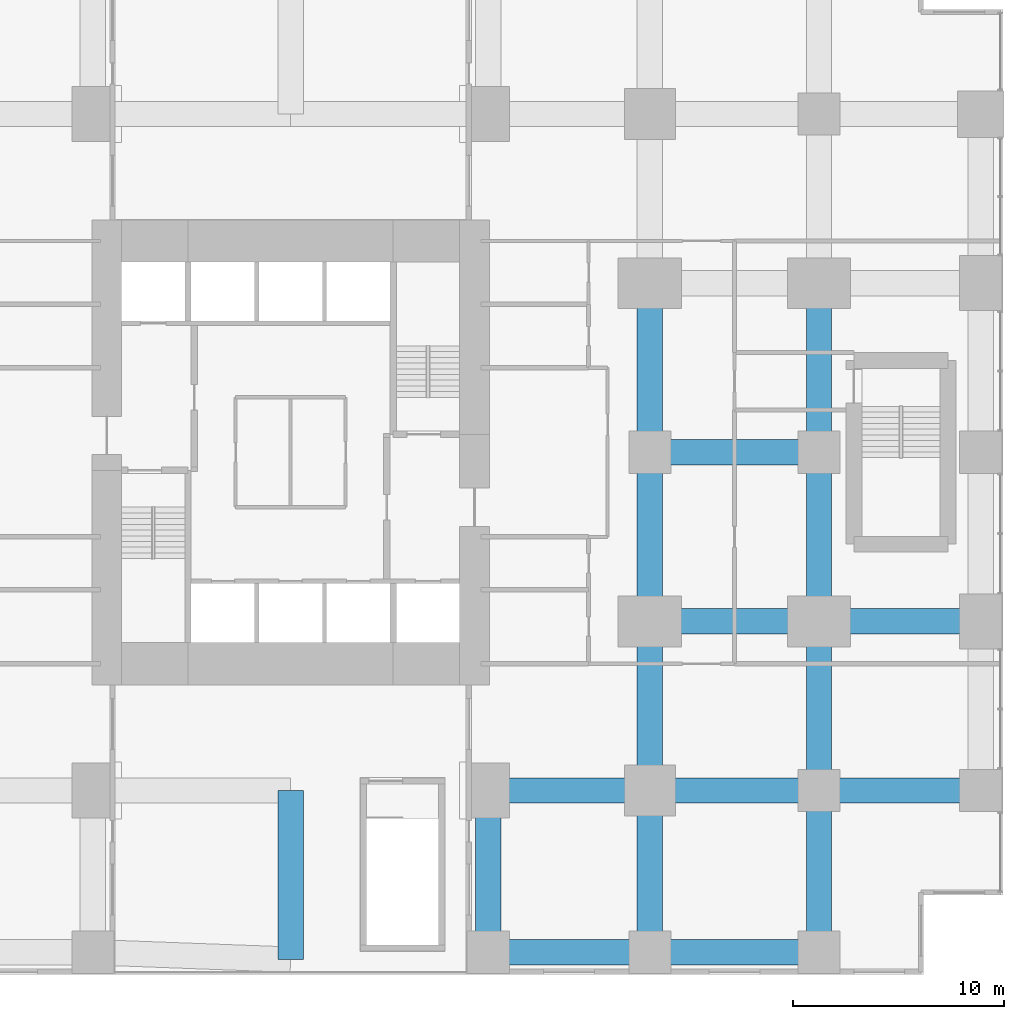
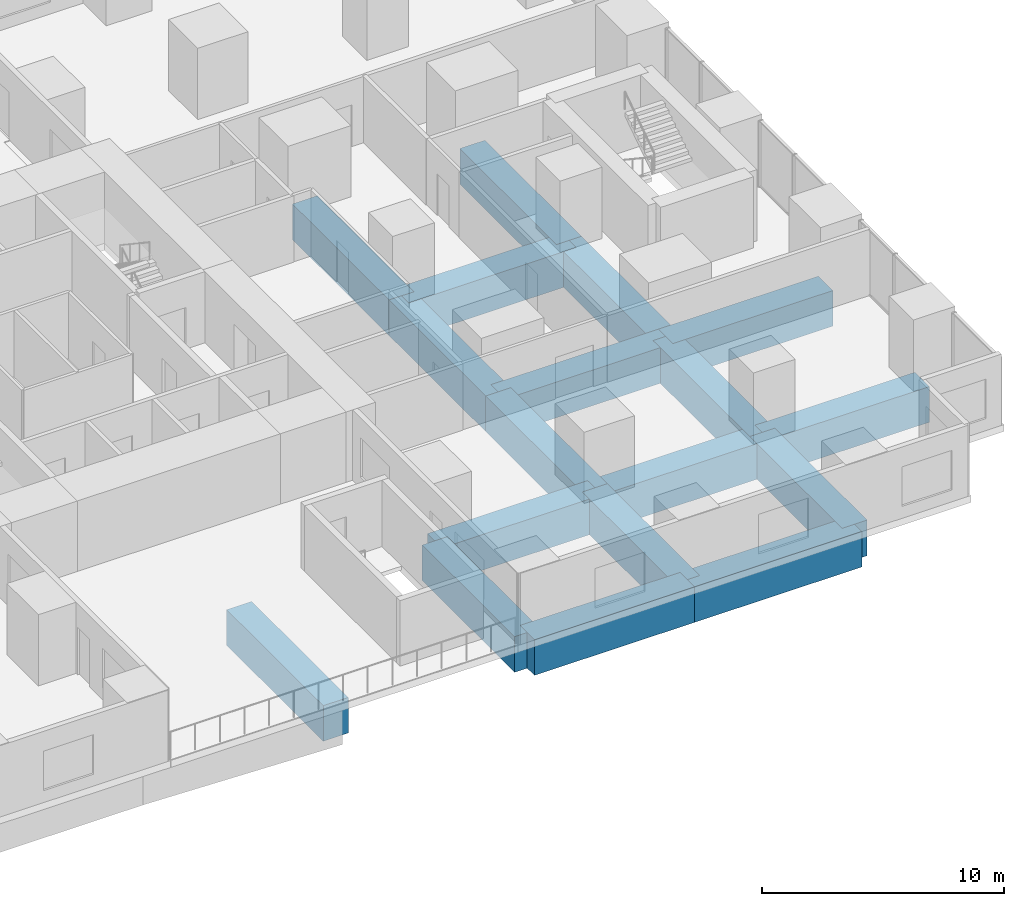
# One storey, part 4 of 15: 18 beams.
"""IFC4 building model written with IfcOpenShell, lengths in metres."""

from ifc_helpers import new_model, si_unit, direction, frame, origin, origin_2d, place, context, subcontext, project, spatial, rectangle, extrude, material, material_profile, profile_set, type_object, element, save


model = new_model("IFC4")

# Units and contexts
model_context = context("Model", 3, precision=1e-05, world=origin(), true_north=direction((0.0, 1.0)))
body_context = subcontext(model_context, "Body", "Model", "MODEL_VIEW")
ifc_project = project(units=[si_unit("LENGTHUNIT", "METRE"), si_unit("AREAUNIT", "SQUARE_METRE"), si_unit("VOLUMEUNIT", "CUBIC_METRE"), si_unit("PLANEANGLEUNIT", "RADIAN"), si_unit("MASSUNIT", "GRAM", prefix="KILO")], contexts=[model_context])

# Site, building, storey
site_placement = place(None, origin())
site = spatial("IfcSite", under=ifc_project, at=site_placement, CompositionType="ELEMENT")
building_placement = place(site_placement, origin())
building = spatial("IfcBuilding", under=site, at=building_placement, Name="Cleftline Residences", CompositionType="ELEMENT")
storey_placement = place(building_placement, frame((0.0, 0.0, 26.0)))
storey = spatial("IfcBuildingStorey", under=building, at=storey_placement, Name="L05", CompositionType="ELEMENT", Elevation=26.0)

# Beams
ifc_material = material(Name="Concrete B45", Category="concrete")
ifc_material_profile = material_profile(ifc_material, rectangle(XDim=1.199951171875, YDim=1.800048828125, at=origin_2d()))
ifc_profile_set = profile_set([ifc_material_profile], Name="Concrete B45")
beam_type = type_object("IfcBeamType", Name="BEAM RC1200X1800", PredefinedType="BEAM", material=ifc_profile_set)
beam_1_placement = place(storey_placement, frame((42.35009765625, 0.35009765625, -1.25), z_axis=(1.0, 0.0, 0.0), x_axis=(0.0, 1.0, 0.0)))
element("IfcBeam", 1, at=beam_1_placement, inside=storey, type_object=beam_type, Name="Podium beam", PredefinedType="BEAM", context=body_context, shape_type="SweptSolid", body=[
    extrude(rectangle(XDim=1.199951171875, YDim=1.800048828125, at=origin_2d()), origin(), (0.0, 0.0, 1.0), 7.64990234375),
])
beam_2_placement = place(storey_placement, frame((50.0, 0.35009765625, -1.25), z_axis=(1.0, 0.0, 0.0), x_axis=(0.0, 1.0, 0.0)))
element("IfcBeam", 2, at=beam_2_placement, inside=storey, type_object=beam_type, Name="Podium beam", PredefinedType="BEAM", context=body_context, shape_type="SweptSolid", body=[
    extrude(rectangle(XDim=1.199951171875, YDim=1.800048828125, at=origin_2d()), origin(), (0.0, 0.0, 1.0), 8.0),
])
beam_3_placement = place(storey_placement, frame((42.35009765625, 8.0, -1.25), z_axis=(1.0, 0.0, 0.0), x_axis=(0.0, 1.0, 0.0)))
element("IfcBeam", 3, at=beam_3_placement, inside=storey, type_object=beam_type, Name="Podium beam", PredefinedType="BEAM", context=body_context, shape_type="SweptSolid", body=[
    extrude(rectangle(XDim=1.199951171875, YDim=1.800048828125, at=origin_2d()), origin(), (0.0, 0.0, 1.0), 7.64990234375),
])
beam_4_placement = place(storey_placement, frame((50.0, 8.0, -1.25), z_axis=(1.0, 0.0, 0.0), x_axis=(0.0, 1.0, 0.0)))
element("IfcBeam", 4, at=beam_4_placement, inside=storey, type_object=beam_type, Name="Podium beam", PredefinedType="BEAM", context=body_context, shape_type="SweptSolid", body=[
    extrude(rectangle(XDim=1.199951171875, YDim=1.800048828125, at=origin_2d()), origin(), (0.0, 0.0, 1.0), 8.0),
])
beam_5_placement = place(storey_placement, frame((58.0, 8.0, -1.25), z_axis=(1.0, 0.0, 0.0), x_axis=(0.0, 1.0, 0.0)))
element("IfcBeam", 5, at=beam_5_placement, inside=storey, type_object=beam_type, Name="Podium beam", PredefinedType="BEAM", context=body_context, shape_type="SweptSolid", body=[
    extrude(rectangle(XDim=1.199951171875, YDim=1.800048828125, at=origin_2d()), origin(), (0.0, 0.0, 1.0), 7.64990234375),
])
beam_6_placement = place(storey_placement, frame((50.0, 16.0, -1.25), z_axis=(1.0, 0.0, 0.0), x_axis=(0.0, 1.0, 0.0)))
element("IfcBeam", 6, at=beam_6_placement, inside=storey, type_object=beam_type, Name="Podium beam", PredefinedType="BEAM", context=body_context, shape_type="SweptSolid", body=[
    extrude(rectangle(XDim=1.199951171875, YDim=1.800048828125, at=origin_2d()), origin(), (0.0, 0.0, 1.0), 8.0),
])
beam_7_placement = place(storey_placement, frame((58.0, 16.0, -1.25), z_axis=(1.0, 0.0, 0.0), x_axis=(0.0, 1.0, 0.0)))
element("IfcBeam", 7, at=beam_7_placement, inside=storey, type_object=beam_type, Name="Podium beam", PredefinedType="BEAM", context=body_context, shape_type="SweptSolid", body=[
    extrude(rectangle(XDim=1.199951171875, YDim=1.800048828125, at=origin_2d()), origin(), (0.0, 0.0, 1.0), 7.64990234375),
])
for number, where, z_axis, x_axis, name in (
    (8, (50.0, 24.0, -1.25), (1.0, 0.0, 0.0), (0.0, 1.0, 0.0), "Podium beam"),
    (9, (33.0, 0.0, -1.25), (0.0, 1.0, 0.0), (-1.0, 0.0, 0.0), "Podium beam"),
):
    element("IfcBeam", number, at=place(storey_placement, frame(where, z_axis=z_axis, x_axis=x_axis)), inside=storey, type_object=beam_type, Name=name, PredefinedType="BEAM", context=body_context, shape_type="SweptSolid", body=[
        extrude(rectangle(XDim=1.199951171875, YDim=1.800048828125, at=origin_2d()), origin(), (0.0, 0.0, 1.0), 8.0),
    ])
for number, where, z_axis, x_axis, name in (
    (10, (42.35009765625, 0.35009765625, -1.25), (0.0, 1.0, 0.0), (-1.0, 0.0, 0.0), "Podium beam"),
    (11, (50.0, 0.35009765625, -1.25), (0.0, 1.0, 0.0), (-1.0, 0.0, 0.0), "Podium beam"),
):
    element("IfcBeam", number, at=place(storey_placement, frame(where, z_axis=z_axis, x_axis=x_axis)), inside=storey, type_object=beam_type, Name=name, PredefinedType="BEAM", context=body_context, shape_type="SweptSolid", body=[
        extrude(rectangle(XDim=1.199951171875, YDim=1.800048828125, at=origin_2d()), origin(), (0.0, 0.0, 1.0), 7.64990234375),
    ])
for number, where, z_axis, x_axis, name in (
    (12, (50.0, 8.0, -1.25), (0.0, 1.0, 0.0), (-1.0, 0.0, 0.0), "Podium beam"),
    (13, (50.0, 16.0, -1.25), (0.0, 1.0, 0.0), (-1.0, 0.0, 0.0), "Podium beam"),
    (14, (50.0, 24.0, -1.25), (0.0, 1.0, 0.0), (-1.0, 0.0, 0.0), "Podium beam"),
):
    element("IfcBeam", number, at=place(storey_placement, frame(where, z_axis=z_axis, x_axis=x_axis)), inside=storey, type_object=beam_type, Name=name, PredefinedType="BEAM", context=body_context, shape_type="SweptSolid", body=[
        extrude(rectangle(XDim=1.199951171875, YDim=1.800048828125, at=origin_2d()), origin(), (0.0, 0.0, 1.0), 8.0),
    ])
beam_8_placement = place(storey_placement, frame((58.0, 0.35009765625, -1.25), z_axis=(0.0, 1.0, 0.0), x_axis=(-1.0, 0.0, 0.0)))
element("IfcBeam", 15, at=beam_8_placement, inside=storey, type_object=beam_type, Name="Podium beam", PredefinedType="BEAM", context=body_context, shape_type="SweptSolid", body=[
    extrude(rectangle(XDim=1.199951171875, YDim=1.800048828125, at=origin_2d()), origin(), (0.0, 0.0, 1.0), 7.64990234375),
])
for number, where, z_axis, x_axis, name in (
    (16, (58.0, 8.0, -1.25), (0.0, 1.0, 0.0), (-1.0, 0.0, 0.0), "Podium beam"),
    (17, (58.0, 16.0, -1.25), (0.0, 1.0, 0.0), (-1.0, 0.0, 0.0), "Podium beam"),
    (18, (58.0, 24.0, -1.25), (0.0, 1.0, 0.0), (-1.0, 0.0, 0.0), "Podium beam"),
):
    element("IfcBeam", number, at=place(storey_placement, frame(where, z_axis=z_axis, x_axis=x_axis)), inside=storey, type_object=beam_type, Name=name, PredefinedType="BEAM", context=body_context, shape_type="SweptSolid", body=[
        extrude(rectangle(XDim=1.199951171875, YDim=1.800048828125, at=origin_2d()), origin(), (0.0, 0.0, 1.0), 8.0),
    ])

save(model, "model.ifc")
